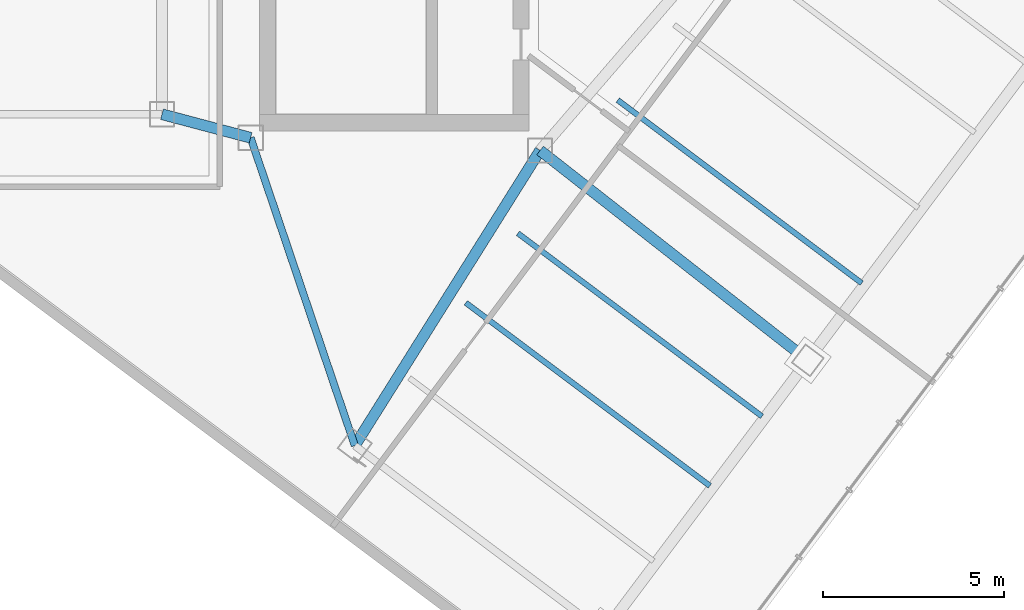
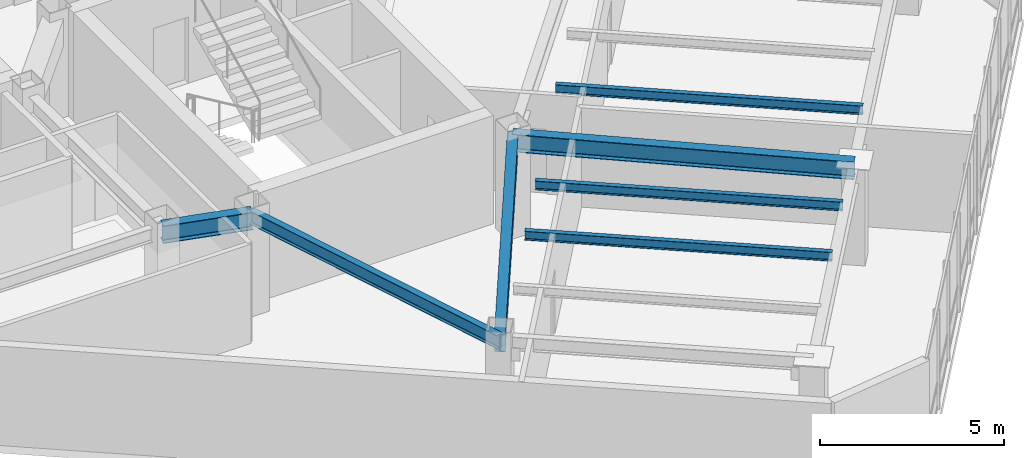
# One storey, part 3 of 25: 7 beams.
"""IFC4 building model written with IfcOpenShell, lengths in metres."""

import ifcopenshell
import ifcopenshell.guid

model = None  # the IFC model being written
_history = None  # IfcOwnerHistory: only IFC2X3 demands one
_inside = {}  # id of a spatial element -> (the spatial element, [elements in it])
_under = {}  # id of a project, library or spatial element -> (it, [spatial elements below it])
_declared = {}  # id of a project -> (the project, [libraries it declares])
_typed = {}  # id of a type object -> (the type object, [elements of that type])
_made_of = {}  # id of a material, layer set ... -> (it, [elements and type objects made of it])


def new_model(schema):
    """Start an empty IFC model of exactly this schema.

    Asked for "IFC4X3", IfcOpenShell would pick the latest addendum, in which some entities
    have other attributes; the version numbers below select the first issue.
    IFC2X3 requires an IfcOwnerHistory on every rooted entity: one is made here for all.
    """
    global model, _history
    if schema == "IFC4X3":
        model = ifcopenshell.file(schema_version=(4, 3, 0, 0))
    else:
        model = ifcopenshell.file(schema=schema)
    _inside.clear()
    _under.clear()
    _declared.clear()
    _typed.clear()
    _made_of.clear()
    _history = None
    if model.schema == "IFC2X3":
        org = make("IfcOrganization", Name="unknown")
        user = make(
            "IfcPersonAndOrganization",
            ThePerson=make("IfcPerson", FamilyName="unknown"),
            TheOrganization=org,
        )
        app = make(
            "IfcApplication",
            ApplicationDeveloper=org,
            Version="unknown",
            ApplicationFullName="unknown",
            ApplicationIdentifier="unknown",
        )
        _history = make(
            "IfcOwnerHistory",
            OwningUser=user,
            OwningApplication=app,
            ChangeAction="ADDED",
            CreationDate=0,
        )
    return model


def make(cls, **values):
    """One entity of the class cls with the attributes given. An attribute that is None is left unset."""
    return model.create_entity(
        cls, **{name: value for name, value in values.items() if value is not None}
    )


def rooted(cls, **values):
    """An entity with a GlobalId (a new one), such as an element, a storey or a relation."""
    return make(cls, GlobalId=ifcopenshell.guid.new(), OwnerHistory=_history, **values)


def si_unit(unit_type, name, prefix=None):
    """IfcSIUnit, for example si_unit("LENGTHUNIT", "METRE", prefix="MILLI")."""
    return make("IfcSIUnit", UnitType=unit_type, Prefix=prefix, Name=name)


def assignment(units):
    """IfcUnitAssignment: the units of a project."""
    return None if units is None else make("IfcUnitAssignment", Units=units)


def point(xyz):
    """IfcCartesianPoint."""
    return None if xyz is None else make("IfcCartesianPoint", Coordinates=xyz)


def direction(xyz):
    """IfcDirection."""
    return None if xyz is None else make("IfcDirection", DirectionRatios=xyz)


def frame(location, z_axis=None, x_axis=None):
    """IfcAxis2Placement3D, a coordinate frame: its origin and axes. An axis left out is left unset."""
    return make(
        "IfcAxis2Placement3D",
        Location=point(location),
        Axis=direction(z_axis),
        RefDirection=direction(x_axis),
    )


def frame_2d(location, x_axis=None):
    """IfcAxis2Placement2D, a coordinate frame in the plane: its origin and x axis."""
    return make(
        "IfcAxis2Placement2D", Location=point(location), RefDirection=direction(x_axis)
    )


def origin():
    """The frame at (0, 0, 0) with its axes left unset."""
    return frame((0.0, 0.0, 0.0))


def origin_2d():
    """The frame at (0, 0) in the plane with its x axis left unset."""
    return frame_2d((0.0, 0.0))


def place(relative_to, where):
    """IfcLocalPlacement: puts the frame where relative to a parent placement (None: the world)."""
    return make(
        "IfcLocalPlacement", PlacementRelTo=relative_to, RelativePlacement=where
    )


def context(
    kind, dimensions, precision=None, world=None, true_north=None, identifier=None
):
    """IfcGeometricRepresentationContext, for example the 3D "Model" context."""
    return make(
        "IfcGeometricRepresentationContext",
        ContextIdentifier=identifier,
        ContextType=kind,
        CoordinateSpaceDimension=dimensions,
        Precision=precision,
        WorldCoordinateSystem=world,
        TrueNorth=true_north,
    )


def subcontext(parent, identifier, kind, view, scale=None):
    """IfcGeometricRepresentationSubContext, for example "Body" below "Model"."""
    return make(
        "IfcGeometricRepresentationSubContext",
        ContextIdentifier=identifier,
        ContextType=kind,
        ParentContext=parent,
        TargetScale=scale,
        TargetView=view,
    )


def project(units=None, contexts=None):
    """IfcProject with its units and contexts."""
    return rooted(
        "IfcProject",
        Name="project",
        RepresentationContexts=contexts,
        UnitsInContext=assignment(units),
    )


def spatial(cls, under=None, at=None, **own):
    """A site, building, storey or space (cls), placed at a placement, below another one or the project."""
    s = rooted(cls, ObjectPlacement=at, **own)
    if under is not None:
        _under.setdefault(under.id(), (under, []))[1].append(s)
    return s


def profile(cls, at=None, kind="AREA", **sizes):
    """A parametric profile (cls). Its sizes go by their IFC names, for example OverallWidth=200.0."""
    return make(cls, ProfileType=kind, Position=at, **sizes)


def i_section(**sizes):
    """IfcIShapeProfileDef."""
    return profile("IfcIShapeProfileDef", **sizes)


def extrude(swept, where, along, depth):
    """IfcExtrudedAreaSolid: the profile swept, set in the frame where, extruded along a direction by depth."""
    return make(
        "IfcExtrudedAreaSolid",
        SweptArea=swept,
        Position=where,
        ExtrudedDirection=direction(along),
        Depth=depth,
    )


def shape(context_of_items, identifier, shape_type, items):
    """IfcShapeRepresentation: the items that make up one representation, for example the "Body"."""
    return make(
        "IfcShapeRepresentation",
        ContextOfItems=context_of_items,
        RepresentationIdentifier=identifier,
        RepresentationType=shape_type,
        Items=items,
    )


def material(Name=None, Category=None):
    """IfcMaterial."""
    return make("IfcMaterial", Name=Name, Category=Category)


def material_profile(
    of_material, cross_section, Name=None, Category=None, Priority=None
):
    """IfcMaterialProfile: a cross section and its material."""
    return make(
        "IfcMaterialProfile",
        Name=Name,
        Material=of_material,
        Profile=cross_section,
        Priority=Priority,
        Category=Category,
    )


def profile_set(profiles, Name=None, composite=None):
    """IfcMaterialProfileSet."""
    return make(
        "IfcMaterialProfileSet",
        Name=Name,
        MaterialProfiles=profiles,
        CompositeProfile=composite,
    )


def made_of(thing, what):
    """Note that an element or type object is made of a material, layer set ...; save() writes the relation."""
    if what is not None:
        _made_of.setdefault(what.id(), (what, []))[1].append(thing)
    return thing


def type_object(cls, material=None, **own):
    """A type object (cls), such as IfcWallType, which elements share."""
    return made_of(rooted(cls, **own), material)


def element(
    cls,
    number,
    at=None,
    inside=None,
    cuts=None,
    type_object=None,
    material=None,
    context=None,
    identifier="Body",
    shape_type=None,
    held_by="IfcProductDefinitionShape",
    body=None,
    shapes=None,
    **own,
):
    """One element of the class cls, such as IfcWall. Its Tag is "e" and its number.

    at: its placement. inside: the storey or other place that contains it. cuts: it is an
    opening in that element (IfcRelVoidsElement). A single representation is given by context,
    identifier, shape_type and body (its items); several are given by shapes. held_by: the class
    of the entity that holds the representations. save() writes the other relations.
    """
    e = rooted(cls, Tag="e%d" % number, ObjectPlacement=at, **own)
    if body is not None:
        shapes = [shape(context, identifier, shape_type, body)]
    if shapes is not None:
        e.Representation = make(held_by, Representations=shapes)
    if inside is not None:
        _inside.setdefault(inside.id(), (inside, []))[1].append(e)
    if cuts is not None:
        rooted(
            "IfcRelVoidsElement", RelatingBuildingElement=cuts, RelatedOpeningElement=e
        )
    if type_object is not None:
        _typed.setdefault(type_object.id(), (type_object, []))[1].append(e)
    return made_of(e, material)


def aggregate(whole, parts):
    """IfcRelAggregates: a whole, such as a stair, and the parts it consists of."""
    return rooted("IfcRelAggregates", RelatingObject=whole, RelatedObjects=parts)


def save(model, path):
    """Write the relations noted so far, then the file.

    IfcRelAggregates (storeys below a building ...), IfcRelContainedInSpatialStructure (elements
    in a storey), IfcRelDefinesByType, IfcRelAssociatesMaterial and IfcRelDeclares: one each for
    every whole, place, type object, material and project.
    """
    for whole, parts in _under.values():
        aggregate(whole, parts)
    for where, things in _inside.values():
        rooted(
            "IfcRelContainedInSpatialStructure",
            RelatedElements=things,
            RelatingStructure=where,
        )
    for kind, things in _typed.values():
        rooted("IfcRelDefinesByType", RelatedObjects=things, RelatingType=kind)
    for what, things in _made_of.values():
        rooted("IfcRelAssociatesMaterial", RelatedObjects=things, RelatingMaterial=what)
    for by, libraries in _declared.values():
        rooted("IfcRelDeclares", RelatingContext=by, RelatedDefinitions=libraries)
    model.write(path)


model = new_model("IFC4")

# Units and contexts
model_context = context("Model", 3, precision=1e-05, world=origin(), true_north=direction((0.0, 1.0)))
body_context = subcontext(model_context, "Body", "Model", "MODEL_VIEW")
ifc_project = project(units=[si_unit("LENGTHUNIT", "METRE"), si_unit("AREAUNIT", "SQUARE_METRE"), si_unit("VOLUMEUNIT", "CUBIC_METRE"), si_unit("PLANEANGLEUNIT", "RADIAN"), si_unit("MASSUNIT", "GRAM", prefix="KILO")], contexts=[model_context])

# Site, building, storey
site_placement = place(None, origin())
site = spatial("IfcSite", under=ifc_project, at=site_placement, CompositionType="ELEMENT")
building_placement = place(site_placement, origin())
building = spatial("IfcBuilding", under=site, at=building_placement, Name="Hatsunagi Terrace Concourse", CompositionType="ELEMENT")
storey_placement = place(building_placement, frame((0.0, 0.0, 231.14990234375)))
storey = spatial("IfcBuildingStorey", under=building, at=storey_placement, Name="L61", CompositionType="ELEMENT", Elevation=231.14990234375)

# Beams
ifc_material_1 = material(Name="Steel SN490B", Category="steel")
ifc_material_profile_1 = material_profile(ifc_material_1, i_section(OverallWidth=0.300048828125, OverallDepth=0.587890625, WebThickness=0.011962890625, FlangeThickness=0.02001953125, FilletRadius=0.01806640625, at=origin_2d()), Name="H-588x300x12x20")
ifc_profile_set_1 = profile_set([ifc_material_profile_1], Name="Steel SN490B")
beam_type_1 = type_object("IfcBeamType", Name="OfficeHighGirder_H_588x300", PredefinedType="BEAM", material=ifc_profile_set_1)
beam_1_placement = place(storey_placement, frame((33.35009765625, 25.199951171875, 3.006103515625), z_axis=(0.966569840116, -0.256403479262, 0.0), x_axis=(0.256403479262, 0.966569840116, 0.0)))
element("IfcBeam", 1, at=beam_1_placement, inside=storey, type_object=beam_type_1, Name="Beam G-06 BM-L61-K2CB", PredefinedType="BEAM", context=body_context, shape_type="SweptSolid", body=[
    extrude(i_section(OverallWidth=0.300048828125, OverallDepth=0.587890625, WebThickness=0.011962890625, FlangeThickness=0.02001953125, FilletRadius=0.01806640625, at=origin_2d()), origin(), (0.0, 0.0, 1.0), 2.53466796875),
])
beam_2_placement = place(storey_placement, frame((38.679931640625, 16.0400390625, 3.006103515625), z_axis=(0.531503907049, 0.847055840421, 0.0), x_axis=(-0.847055840421, 0.531503907049, 0.0)))
element("IfcBeam", 2, at=beam_2_placement, inside=storey, type_object=beam_type_1, Name="Beam G-06 BM-L61-SET-1A", PredefinedType="BEAM", context=body_context, shape_type="SweptSolid", body=[
    extrude(i_section(OverallWidth=0.300048828125, OverallDepth=0.587890625, WebThickness=0.011962890625, FlangeThickness=0.02001953125, FilletRadius=0.01806640625, at=origin_2d()), origin(), (0.0, 0.0, 1.0), 9.63330078125),
])
beam_3_placement = place(storey_placement, frame((43.800048828125, 24.199951171875, 3.006103515625), z_axis=(0.787049441068, -0.616889923175, 0.0), x_axis=(0.616889923175, 0.787049441068, 0.0)))
element("IfcBeam", 3, at=beam_3_placement, inside=storey, type_object=beam_type_1, Name="Beam G-06 BM-L61-SE-M2", PredefinedType="BEAM", context=body_context, shape_type="SweptSolid", body=[
    extrude(i_section(OverallWidth=0.300048828125, OverallDepth=0.587890625, WebThickness=0.011962890625, FlangeThickness=0.02001953125, FilletRadius=0.01806640625, at=origin_2d()), origin(), (0.0, 0.0, 1.0), 9.402099609375),
])
ifc_material_2 = material(Name="Steel SN490B", Category="steel")
ifc_material_profile_2 = material_profile(ifc_material_2, i_section(OverallWidth=0.14990234375, OverallDepth=0.300048828125, WebThickness=0.006591796875, FlangeThickness=0.009033203125, FilletRadius=0.010986328125, at=origin_2d()), Name="H-300x150x6.5x9")
ifc_profile_set_2 = profile_set([ifc_material_profile_2], Name="Steel SN490B")
beam_type_2 = type_object("IfcBeamType", Name="OfficeJoist_H_300x150", PredefinedType="JOIST", material=ifc_profile_set_2)
for number, where, z_axis, x_axis, name in (
    (4, (41.748046875, 19.989013671875, 3.150146484375), (0.799989573921, -0.600013901187, 0.0), (0.600013901187, 0.799989573921, 0.0), "Beam J-03 J-L61-SE-2-72"),
    (5, (43.18798828125, 21.908935546875, 3.150146484375), (0.800003475366, -0.59999536615, 0.0), (0.59999536615, 0.800003475366, 0.0), "Beam J-03 J-L61-SE-2-96"),
    (6, (45.947998046875, 25.589111328125, 3.150146484375), (0.799989573921, -0.600013901187, 0.0), (0.600013901187, 0.799989573921, 0.0), "Beam J-03 J-L61-SE-2-142"),
):
    element("IfcBeam", number, at=place(storey_placement, frame(where, z_axis=z_axis, x_axis=x_axis)), inside=storey, type_object=beam_type_2, Name=name, PredefinedType="JOIST", context=body_context, shape_type="SweptSolid", body=[
        extrude(i_section(OverallWidth=0.14990234375, OverallDepth=0.300048828125, WebThickness=0.006591796875, FlangeThickness=0.009033203125, FilletRadius=0.010986328125, at=origin_2d()), origin(), (0.0, 0.0, 1.0), 8.429931640625),
    ])
ifc_material_3 = material(Name="Steel SN490B", Category="steel")
ifc_material_profile_3 = material_profile(ifc_material_3, i_section(OverallWidth=0.199951171875, OverallDepth=0.449951171875, WebThickness=0.009033203125, FlangeThickness=0.013916015625, FilletRadius=0.01611328125, at=origin_2d()), Name="H-450x200x9x14")
ifc_profile_set_3 = profile_set([ifc_material_profile_3], Name="Steel SN490B")
beam_type_3 = type_object("IfcBeamType", Name="PerimeterSpandrel_H_450x200", PredefinedType="SPANDREL", material=ifc_profile_set_3)
beam_4_placement = place(storey_placement, frame((35.800048828125, 24.550048828125, 3.0751953125), z_axis=(0.320553412271, -0.947230441805, 0.0), x_axis=(0.947230441805, 0.320553412271, 0.0)))
element("IfcBeam", 7, at=beam_4_placement, inside=storey, type_object=beam_type_3, Name="Beam SP-02 BM-L61-SE-SW0", PredefinedType="SPANDREL", context=body_context, shape_type="SweptSolid", body=[
    extrude(i_section(OverallWidth=0.199951171875, OverallDepth=0.449951171875, WebThickness=0.009033203125, FlangeThickness=0.013916015625, FilletRadius=0.01611328125, at=origin_2d()), origin(), (0.0, 0.0, 1.0), 8.984130859375),
])

save(model, "model.ifc")
